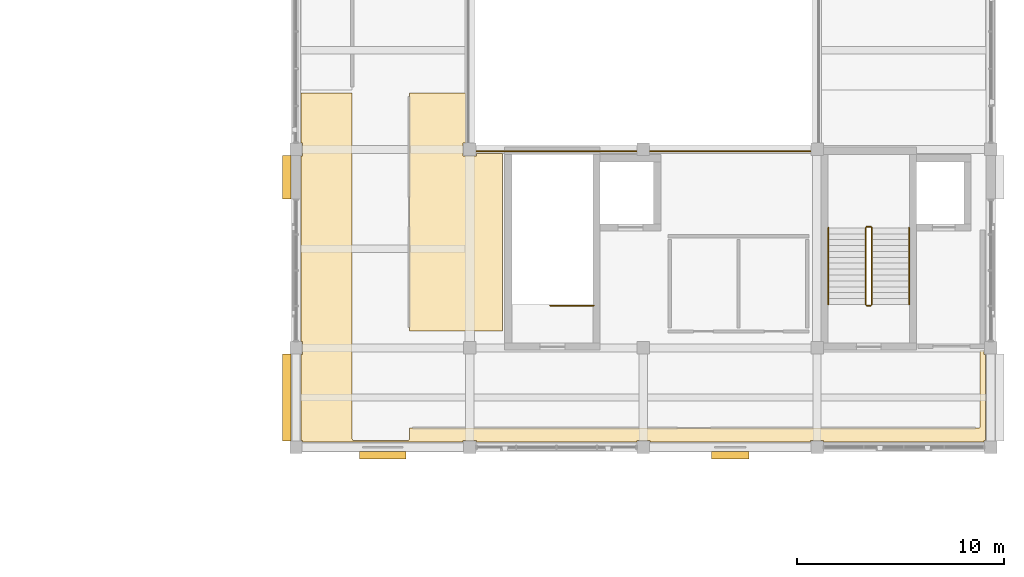
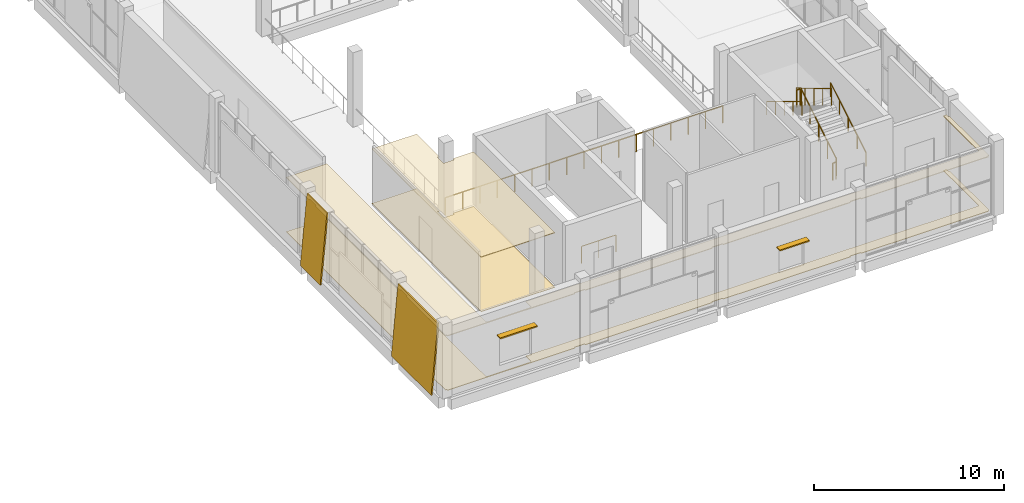
# One storey, part 35 of 37: 8 railings, 6 coverings, 2 shading devices.
"""IFC4 building model written with IfcOpenShell, lengths in metres."""

from ifc_helpers import new_model, si_unit, direction, frame, origin, origin_2d, place, context, subcontext, project, spatial, polyline, rectangle, circle, outline, extrude, material, layer, layer_set, type_object, element, save


model = new_model("IFC4")

# Units and contexts
model_context = context("Model", 3, precision=1e-05, world=origin(), true_north=direction((0.0, 1.0)))
body_context = subcontext(model_context, "Body", "Model", "MODEL_VIEW")
ifc_project = project(units=[si_unit("LENGTHUNIT", "METRE"), si_unit("AREAUNIT", "SQUARE_METRE"), si_unit("VOLUMEUNIT", "CUBIC_METRE"), si_unit("PLANEANGLEUNIT", "RADIAN"), si_unit("MASSUNIT", "GRAM", prefix="KILO")], contexts=[model_context])

# Site, building, storey
site_placement = place(None, origin())
site = spatial("IfcSite", under=ifc_project, at=site_placement, CompositionType="ELEMENT")
building_placement = place(site_placement, origin())
building = spatial("IfcBuilding", under=site, at=building_placement, Name="Shalvenor Court Art Gallery", CompositionType="ELEMENT")
storey_placement = place(building_placement, frame((0.0, 0.0, 22.199951171875)))
storey = spatial("IfcBuildingStorey", under=building, at=storey_placement, Name="L04", CompositionType="ELEMENT", Elevation=22.199951171875)

# Coverings
ifc_material_1 = material(Name="Pale Mediterranean limestone cladding", Category="masonry")
ifc_layer_1 = layer(ifc_material_1, 0.080078125, Name="Pale Mediterranean limestone cladding")
ifc_layer_set_1 = layer_set([ifc_layer_1], Name="Pale Mediterranean limestone cladding")
covering_type_1 = type_object("IfcCoveringType", Name="CLD-01", PredefinedType="CLADDING", material=ifc_layer_set_1)
covering_1_placement = place(storey_placement, frame((142.160400390625, 50.10009765625, 0.0), z_axis=(0.0, 0.0, 1.0), x_axis=(0.0, -1.0, 0.0)))
element("IfcCovering", 1, at=covering_1_placement, inside=storey, type_object=covering_type_1, Name="L04 V1 Tapered Limestone Cladding 25", PredefinedType="CLADDING", context=body_context, shape_type="SweptSolid", body=[
    extrude(outline(polyline([(0.0, 0.0), (4.2001953125, 0.0), (4.2001953125, 4.5185546875), (0.0, 4.5185546875), (0.0, 0.0)])), frame((0.0, 0.0, 0.0), z_axis=(0.0, -0.995884398616, 0.090632580198), x_axis=(1.0, 0.0, 0.0)), (0.0, 0.090632580198, -0.995884398616), 0.080322265625),
])
covering_2_placement = place(storey_placement, frame((142.160400390625, 59.699951171875, 0.0), z_axis=(0.0, 0.0, 1.0), x_axis=(0.0, -1.0, 0.0)))
element("IfcCovering", 2, at=covering_2_placement, inside=storey, type_object=covering_type_1, Name="L04 V1 Tapered Limestone Cladding 26", PredefinedType="CLADDING", context=body_context, shape_type="SweptSolid", body=[
    extrude(outline(polyline([(0.0, 0.0), (2.099853515625, 0.0), (2.099853515625, 4.5185546875), (0.0, 4.5185546875), (0.0, 0.0)])), frame((0.0, 0.0, 0.0), z_axis=(0.0, -0.995884398616, 0.090632580198), x_axis=(1.0, 0.0, 0.0)), (0.0, 0.090632580198, -0.995884398616), 0.080322265625),
])
ifc_material_2 = material(Name="Perforated acoustic gypsum gallery ceiling", Category="other")
ifc_layer_2 = layer(ifc_material_2, 0.044921875, Name="Perforated acoustic gypsum gallery ceiling")
ifc_layer_set_2 = layer_set([ifc_layer_2], Name="Perforated acoustic gypsum gallery ceiling")
covering_type_2 = type_object("IfcCoveringType", Name="CLG-01", PredefinedType="CEILING", material=ifc_layer_set_2)
covering_3_placement = place(storey_placement, frame((0.0, 0.0, 3.5)))
element("IfcCovering", 3, at=covering_3_placement, inside=storey, type_object=covering_type_2, Name="L04 Permanent Painting Gallery Acoustic Ceiling", PredefinedType="CEILING", context=body_context, shape_type="SweptSolid", body=[
    extrude(outline(polyline([(145.5205078125, 45.9921875), (145.521484375, 45.984375), (145.5234375, 45.976806640625), (145.526123046875, 45.969482421875), (145.529296875, 45.96240234375), (145.533447265625, 45.95556640625), (145.5380859375, 45.94921875), (145.54345703125, 45.943359375), (145.54931640625, 45.938232421875), (145.5556640625, 45.93359375), (145.562255859375, 45.929443359375), (145.5693359375, 45.926025390625), (145.576904296875, 45.92333984375), (145.58447265625, 45.92138671875), (145.59228515625, 45.92041015625), (145.60009765625, 45.919921875), (148.199951171875, 45.919921875), (148.207763671875, 45.92041015625), (148.215576171875, 45.92138671875), (148.22314453125, 45.92333984375), (148.230712890625, 45.926025390625), (148.23779296875, 45.929443359375), (148.244384765625, 45.93359375), (148.250732421875, 45.938232421875), (148.256591796875, 45.943359375), (148.26171875, 45.94921875), (148.2666015625, 45.95556640625), (148.2705078125, 45.96240234375), (148.27392578125, 45.969482421875), (148.276611328125, 45.976806640625), (148.278564453125, 45.984375), (148.279541015625, 45.9921875), (148.280029296875, 46.0), (148.280029296875, 46.52001953125), (175.800048828125, 46.52001953125), (175.807861328125, 46.5205078125), (175.815673828125, 46.521484375), (175.8232421875, 46.5234375), (175.83056640625, 46.526123046875), (175.837646484375, 46.529296875), (175.844482421875, 46.533447265625), (175.850830078125, 46.5380859375), (175.856689453125, 46.54345703125), (175.86181640625, 46.54931640625), (175.866455078125, 46.5556640625), (175.87060546875, 46.562255859375), (175.873779296875, 46.5693359375), (175.876708984375, 46.576904296875), (175.87841796875, 46.58447265625), (175.879638671875, 46.59228515625), (175.8798828125, 46.60009765625), (175.8798828125, 50.280029296875), (176.0, 50.280029296875), (176.021484375, 50.281005859375), (176.04296875, 50.2841796875), (176.06396484375, 50.28955078125), (176.080078125, 50.295166015625), (176.080078125, 50.080078125), (176.14990234375, 50.080078125), (176.14990234375, 45.919921875), (176.080078125, 45.919921875), (176.080078125, 45.85009765625), (168.320068359375, 45.85009765625), (168.320068359375, 45.919921875), (167.679931640625, 45.919921875), (167.679931640625, 45.85009765625), (159.919921875, 45.85009765625), (159.919921875, 45.919921875), (159.280029296875, 45.919921875), (159.280029296875, 45.85009765625), (151.52001953125, 45.85009765625), (151.52001953125, 45.919921875), (150.8798828125, 45.919921875), (150.8798828125, 45.85009765625), (143.1201171875, 45.85009765625), (143.1201171875, 45.919921875), (143.050048828125, 45.919921875), (143.050048828125, 50.080078125), (143.1201171875, 50.080078125), (143.1201171875, 50.719970703125), (143.050048828125, 50.719970703125), (143.050048828125, 59.679931640625), (143.1201171875, 59.679931640625), (143.1201171875, 60.320068359375), (143.050048828125, 60.320068359375), (143.050048828125, 62.719970703125), (145.52001953125, 62.719970703125), (145.52001953125, 46.0), (145.5205078125, 45.9921875)])), origin(), (0.0, 0.0, 1.0), 0.045166015625),
])
covering_4_placement = place(storey_placement, frame((0.0, 0.0, 3.5)))
element("IfcCovering", 4, at=covering_4_placement, inside=storey, type_object=covering_type_2, Name="L04 Permanent Painting Gallery Wing B Acoustic Ceiling", PredefinedType="CEILING", context=body_context, shape_type="SweptSolid", body=[
    extrude(outline(polyline([(152.780029296875, 51.22998046875), (148.280029296875, 51.22998046875), (148.280029296875, 62.719970703125), (151.0, 62.719970703125), (151.0, 60.320068359375), (150.8798828125, 60.320068359375), (150.8798828125, 59.679931640625), (151.52001953125, 59.679931640625), (151.52001953125, 59.800048828125), (152.780029296875, 59.800048828125), (152.780029296875, 51.22998046875)])), origin(), (0.0, 0.0, 1.0), 0.045166015625),
])
ifc_material_3 = material(Name="Quarter-sawn white oak gallery flooring", Category="wood")
ifc_layer_3 = layer(ifc_material_3, 0.031982421875, Name="Quarter-sawn white oak gallery flooring")
ifc_layer_set_3 = layer_set([ifc_layer_3], Name="Quarter-sawn white oak gallery flooring")
covering_type_3 = type_object("IfcCoveringType", Name="FLR-02", PredefinedType="FLOORING", material=ifc_layer_set_3)
covering_5_placement = place(storey_placement, origin())
element("IfcCovering", 5, at=covering_5_placement, inside=storey, type_object=covering_type_3, Name="L04 Permanent Painting Gallery Flooring", PredefinedType="FLOORING", context=body_context, shape_type="SweptSolid", body=[
    extrude(outline(polyline([(145.5205078125, 45.9921875), (145.521484375, 45.984375), (145.5234375, 45.976806640625), (145.526123046875, 45.969482421875), (145.529296875, 45.96240234375), (145.533447265625, 45.95556640625), (145.5380859375, 45.94921875), (145.54345703125, 45.943359375), (145.54931640625, 45.938232421875), (145.5556640625, 45.93359375), (145.562255859375, 45.929443359375), (145.5693359375, 45.926025390625), (145.576904296875, 45.92333984375), (145.58447265625, 45.92138671875), (145.59228515625, 45.92041015625), (145.60009765625, 45.919921875), (148.199951171875, 45.919921875), (148.207763671875, 45.92041015625), (148.215576171875, 45.92138671875), (148.22314453125, 45.92333984375), (148.230712890625, 45.926025390625), (148.23779296875, 45.929443359375), (148.244384765625, 45.93359375), (148.250732421875, 45.938232421875), (148.256591796875, 45.943359375), (148.26171875, 45.94921875), (148.2666015625, 45.95556640625), (148.2705078125, 45.96240234375), (148.27392578125, 45.969482421875), (148.276611328125, 45.976806640625), (148.278564453125, 45.984375), (148.279541015625, 45.9921875), (148.280029296875, 46.0), (148.280029296875, 46.52001953125), (175.800048828125, 46.52001953125), (175.807861328125, 46.5205078125), (175.815673828125, 46.521484375), (175.8232421875, 46.5234375), (175.83056640625, 46.526123046875), (175.837646484375, 46.529296875), (175.844482421875, 46.533447265625), (175.850830078125, 46.5380859375), (175.856689453125, 46.54345703125), (175.86181640625, 46.54931640625), (175.866455078125, 46.5556640625), (175.87060546875, 46.562255859375), (175.873779296875, 46.5693359375), (175.876708984375, 46.576904296875), (175.87841796875, 46.58447265625), (175.879638671875, 46.59228515625), (175.8798828125, 46.60009765625), (175.8798828125, 50.280029296875), (176.0, 50.280029296875), (176.021484375, 50.281005859375), (176.04296875, 50.2841796875), (176.06396484375, 50.28955078125), (176.080078125, 50.295166015625), (176.080078125, 50.080078125), (176.14990234375, 50.080078125), (176.14990234375, 45.919921875), (176.080078125, 45.919921875), (176.080078125, 45.85009765625), (168.320068359375, 45.85009765625), (168.320068359375, 45.919921875), (167.679931640625, 45.919921875), (167.679931640625, 45.85009765625), (159.919921875, 45.85009765625), (159.919921875, 45.919921875), (159.280029296875, 45.919921875), (159.280029296875, 45.85009765625), (151.52001953125, 45.85009765625), (151.52001953125, 45.919921875), (150.8798828125, 45.919921875), (150.8798828125, 45.85009765625), (143.1201171875, 45.85009765625), (143.1201171875, 45.919921875), (143.050048828125, 45.919921875), (143.050048828125, 50.080078125), (143.1201171875, 50.080078125), (143.1201171875, 50.719970703125), (143.050048828125, 50.719970703125), (143.050048828125, 59.679931640625), (143.1201171875, 59.679931640625), (143.1201171875, 60.320068359375), (143.050048828125, 60.320068359375), (143.050048828125, 62.719970703125), (145.52001953125, 62.719970703125), (145.52001953125, 46.0), (145.5205078125, 45.9921875)])), origin(), (0.0, 0.0, 1.0), 0.031982421875),
])
covering_6_placement = place(storey_placement, origin())
element("IfcCovering", 6, at=covering_6_placement, inside=storey, type_object=covering_type_3, Name="L04 Permanent Painting Gallery Wing B Flooring", PredefinedType="FLOORING", context=body_context, shape_type="SweptSolid", body=[
    extrude(outline(polyline([(152.780029296875, 51.22998046875), (148.280029296875, 51.22998046875), (148.280029296875, 62.719970703125), (151.0, 62.719970703125), (151.0, 60.320068359375), (150.8798828125, 60.320068359375), (150.8798828125, 59.679931640625), (151.52001953125, 59.679931640625), (151.52001953125, 59.800048828125), (152.780029296875, 59.800048828125), (152.780029296875, 51.22998046875)])), origin(), (0.0, 0.0, 1.0), 0.031982421875),
])

# Railings
ifc_material_4 = material(Name="Stainless steel and laminated glass balustrade", Category="steel")
railing_type_1 = type_object("IfcRailingType", Name="GR-01", PredefinedType="BALUSTRADE", material=ifc_material_4)
railing_1_placement = place(storey_placement, frame((151.1201171875, 59.919921875, 0.0)))
element("IfcRailing", 7, at=railing_1_placement, inside=storey, type_object=railing_type_1, Name="L04 Atrium Gallery Balustrade 1", PredefinedType="BALUSTRADE", context=body_context, shape_type="SweptSolid", body=[
    extrude(circle(Radius=0.02392578125, at=origin_2d()), frame((0.0, 0.0, 1.09619140625), z_axis=(1.0, 0.0, 0.0), x_axis=(0.0, 1.0, 0.0)), (0.0, 0.0, 1.0), 16.89990234375),
    extrude(circle(Radius=0.02099609375, at=origin_2d()), origin(), (0.0, 0.0, 1.0), 1.072021484375),
    extrude(circle(Radius=0.02099609375, at=origin_2d()), frame((1.05615234375, 0.0, 0.0)), (0.0, 0.0, 1.0), 1.072021484375),
    extrude(circle(Radius=0.02099609375, at=origin_2d()), frame((2.112548828125, 0.0, 0.0)), (0.0, 0.0, 1.0), 1.072021484375),
    extrude(circle(Radius=0.02099609375, at=origin_2d()), frame((3.168701171875, 0.0, 0.0)), (0.0, 0.0, 1.0), 1.072021484375),
    extrude(circle(Radius=0.02099609375, at=origin_2d()), frame((4.22509765625, 0.0, 0.0)), (0.0, 0.0, 1.0), 1.072021484375),
    extrude(circle(Radius=0.02099609375, at=origin_2d()), frame((5.28125, 0.0, 0.0)), (0.0, 0.0, 1.0), 1.072021484375),
    extrude(circle(Radius=0.02099609375, at=origin_2d()), frame((6.33740234375, 0.0, 0.0)), (0.0, 0.0, 1.0), 1.072021484375),
    extrude(circle(Radius=0.02099609375, at=origin_2d()), frame((7.393798828125, 0.0, 0.0)), (0.0, 0.0, 1.0), 1.072021484375),
    extrude(circle(Radius=0.02099609375, at=origin_2d()), frame((8.449951171875, 0.0, 0.0)), (0.0, 0.0, 1.0), 1.072021484375),
    extrude(circle(Radius=0.02099609375, at=origin_2d()), frame((9.506103515625, 0.0, 0.0)), (0.0, 0.0, 1.0), 1.072021484375),
    extrude(circle(Radius=0.02099609375, at=origin_2d()), frame((10.5625, 0.0, 0.0)), (0.0, 0.0, 1.0), 1.072021484375),
    extrude(circle(Radius=0.02099609375, at=origin_2d()), frame((11.61865234375, 0.0, 0.0)), (0.0, 0.0, 1.0), 1.072021484375),
    extrude(circle(Radius=0.02099609375, at=origin_2d()), frame((12.6748046875, 0.0, 0.0)), (0.0, 0.0, 1.0), 1.072021484375),
    extrude(circle(Radius=0.02099609375, at=origin_2d()), frame((13.731201171875, 0.0, 0.0)), (0.0, 0.0, 1.0), 1.072021484375),
    extrude(circle(Radius=0.02099609375, at=origin_2d()), frame((14.787353515625, 0.0, 0.0)), (0.0, 0.0, 1.0), 1.072021484375),
    extrude(circle(Radius=0.02099609375, at=origin_2d()), frame((15.84375, 0.0, 0.0)), (0.0, 0.0, 1.0), 1.072021484375),
    extrude(circle(Radius=0.02099609375, at=origin_2d()), frame((16.89990234375, 0.0, 0.0)), (0.0, 0.0, 1.0), 1.072021484375),
])
ifc_material_5 = material(Name="Painted steel post-and-rail guard", Category="steel")
railing_type_2 = type_object("IfcRailingType", Name="GR-02", PredefinedType="GUARDRAIL", material=ifc_material_5)
railing_2_placement = place(storey_placement, frame((170.64990234375, 52.5, 0.17138671875)))
element("IfcRailing", 8, at=railing_2_placement, inside=storey, type_object=railing_type_2, Name="L04 ST-02 Stair Guard 1", PredefinedType="GUARDRAIL", context=body_context, shape_type="SweptSolid", body=[
    extrude(circle(Radius=0.02392578125, at=origin_2d()), frame((0.0, 0.0, 1.09619140625), z_axis=(0.0, 0.856909459561, 0.515466951525), x_axis=(-1.0, 0.0, 0.0)), (0.0, 0.0, 1.0), 4.32373046875),
    extrude(circle(Radius=0.02099609375, at=origin_2d()), origin(), (0.0, 0.0, 1.0), 1.072021484375),
    extrude(circle(Radius=0.02099609375, at=origin_2d()), frame((0.0, 0.92626953125, 0.55712890625)), (0.0, 0.0, 1.0), 1.072021484375),
    extrude(circle(Radius=0.02099609375, at=origin_2d()), frame((0.0, 1.8525390625, 1.1142578125)), (0.0, 0.0, 1.0), 1.072021484375),
    extrude(circle(Radius=0.02099609375, at=origin_2d()), frame((0.0, 2.77880859375, 1.671630859375)), (0.0, 0.0, 1.0), 1.072021484375),
    extrude(circle(Radius=0.02099609375, at=origin_2d()), frame((0.0, 3.705078125, 2.228759765625)), (0.0, 0.0, 1.0), 1.072021484375),
])
railing_3_placement = place(storey_placement, frame((170.60009765625, 56.2548828125, 2.400146484375)))
element("IfcRailing", 9, at=railing_3_placement, inside=storey, type_object=railing_type_2, Name="L04 ST-02 Stair Guard 2", PredefinedType="GUARDRAIL", context=body_context, shape_type="SweptSolid", body=[
    extrude(circle(Radius=0.02392578125, at=origin_2d()), frame((0.0, 0.0, 1.09619140625), z_axis=(-1.0, 0.0, 0.0), x_axis=(0.0, -1.0, 0.0)), (0.0, 0.0, 1.0), 0.2001953125),
    extrude(circle(Radius=0.02099609375, at=origin_2d()), origin(), (0.0, 0.0, 1.0), 1.072021484375),
    extrude(circle(Radius=0.02099609375, at=origin_2d()), frame((-0.2001953125, 0.0, 0.0)), (0.0, 0.0, 1.0), 1.072021484375),
])
railing_4_placement = place(storey_placement, frame((170.35009765625, 56.205078125, 2.571533203125)))
element("IfcRailing", 10, at=railing_4_placement, inside=storey, type_object=railing_type_2, Name="L04 ST-02 Stair Guard 3", PredefinedType="GUARDRAIL", context=body_context, shape_type="SweptSolid", body=[
    extrude(circle(Radius=0.02392578125, at=origin_2d()), frame((0.0, 0.0, 1.09619140625), z_axis=(0.0, -0.856934400257, 0.515425487977), x_axis=(1.0, 0.0, 0.0)), (0.0, 0.0, 1.0), 4.32373046875),
    extrude(circle(Radius=0.02099609375, at=origin_2d()), origin(), (0.0, 0.0, 1.0), 1.072021484375),
    extrude(circle(Radius=0.02099609375, at=origin_2d()), frame((0.0, -0.92626953125, 0.55712890625)), (0.0, 0.0, 1.0), 1.072021484375),
    extrude(circle(Radius=0.02099609375, at=origin_2d()), frame((0.0, -1.8525390625, 1.1142578125)), (0.0, 0.0, 1.0), 1.072021484375),
    extrude(circle(Radius=0.02099609375, at=origin_2d()), frame((0.0, -2.77880859375, 1.67138671875)), (0.0, 0.0, 1.0), 1.072021484375),
    extrude(circle(Radius=0.02099609375, at=origin_2d()), frame((0.0, -3.705078125, 2.228515625)), (0.0, 0.0, 1.0), 1.072021484375),
])
railing_5_placement = place(storey_placement, frame((170.60009765625, 52.449951171875, 0.0)))
element("IfcRailing", 11, at=railing_5_placement, inside=storey, type_object=railing_type_2, Name="L04 ST-02 Stair Guard 4", PredefinedType="GUARDRAIL", context=body_context, shape_type="SweptSolid", body=[
    extrude(circle(Radius=0.02392578125, at=origin_2d()), frame((0.0, 0.0, 1.09619140625), z_axis=(-1.0, 0.0, 0.0), x_axis=(0.0, -1.0, 0.0)), (0.0, 0.0, 1.0), 0.2001953125),
    extrude(circle(Radius=0.02099609375, at=origin_2d()), origin(), (0.0, 0.0, 1.0), 1.072021484375),
    extrude(circle(Radius=0.02099609375, at=origin_2d()), frame((-0.2001953125, 0.0, 0.0)), (0.0, 0.0, 1.0), 1.072021484375),
])
railing_6_placement = place(storey_placement, frame((157.199951171875, 52.449951171875, 0.0)))
element("IfcRailing", 12, at=railing_6_placement, inside=storey, type_object=railing_type_2, Name="L04 ST-03 Top Well Guard 1", PredefinedType="GUARDRAIL", context=body_context, shape_type="SweptSolid", body=[
    extrude(circle(Radius=0.02392578125, at=origin_2d()), frame((0.0, 0.0, 1.09619140625), z_axis=(-1.0, 0.0, 0.0), x_axis=(0.0, -1.0, 0.0)), (0.0, 0.0, 1.0), 2.099853515625),
    extrude(circle(Radius=0.02099609375, at=origin_2d()), origin(), (0.0, 0.0, 1.0), 1.072021484375),
    extrude(circle(Radius=0.02099609375, at=origin_2d()), frame((-1.0498046875, 0.0, 0.0)), (0.0, 0.0, 1.0), 1.072021484375),
    extrude(circle(Radius=0.02099609375, at=origin_2d()), frame((-2.099853515625, 0.0, 0.0)), (0.0, 0.0, 1.0), 1.072021484375),
])
ifc_material_6 = material(Name="Brushed stainless steel handrail", Category="steel")
railing_type_3 = type_object("IfcRailingType", Name="HR-01", PredefinedType="HANDRAIL", material=ifc_material_6)
railing_7_placement = place(storey_placement, frame((172.449951171875, 52.5, 0.17138671875)))
element("IfcRailing", 13, at=railing_7_placement, inside=storey, type_object=railing_type_3, Name="L04 ST-02 Stair Handrail 1", PredefinedType="HANDRAIL", context=body_context, shape_type="SweptSolid", body=[
    extrude(circle(Radius=0.02392578125, at=origin_2d()), frame((0.0, 0.0, 0.8759765625), z_axis=(0.0, 0.856909459561, 0.515466951525), x_axis=(-1.0, 0.0, 0.0)), (0.0, 0.0, 1.0), 4.32373046875),
    extrude(circle(Radius=0.02099609375, at=origin_2d()), origin(), (0.0, 0.0, 1.0), 0.851806640625),
    extrude(circle(Radius=0.02099609375, at=origin_2d()), frame((0.0, 0.92626953125, 0.55712890625)), (0.0, 0.0, 1.0), 0.851806640625),
    extrude(circle(Radius=0.02099609375, at=origin_2d()), frame((0.0, 1.8525390625, 1.1142578125)), (0.0, 0.0, 1.0), 0.851806640625),
    extrude(circle(Radius=0.02099609375, at=origin_2d()), frame((0.0, 2.77880859375, 1.671630859375)), (0.0, 0.0, 1.0), 0.851806640625),
    extrude(circle(Radius=0.02099609375, at=origin_2d()), frame((0.0, 3.705078125, 2.228759765625)), (0.0, 0.0, 1.0), 0.851806640625),
])
railing_8_placement = place(storey_placement, frame((168.550048828125, 56.205078125, 2.571533203125)))
element("IfcRailing", 14, at=railing_8_placement, inside=storey, type_object=railing_type_3, Name="L04 ST-02 Stair Handrail 2", PredefinedType="HANDRAIL", context=body_context, shape_type="SweptSolid", body=[
    extrude(circle(Radius=0.02392578125, at=origin_2d()), frame((0.0, 0.0, 0.8759765625), z_axis=(0.0, -0.856934400257, 0.515425487977), x_axis=(1.0, 0.0, 0.0)), (0.0, 0.0, 1.0), 4.32373046875),
    extrude(circle(Radius=0.02099609375, at=origin_2d()), origin(), (0.0, 0.0, 1.0), 0.851806640625),
    extrude(circle(Radius=0.02099609375, at=origin_2d()), frame((0.0, -0.92626953125, 0.55712890625)), (0.0, 0.0, 1.0), 0.851806640625),
    extrude(circle(Radius=0.02099609375, at=origin_2d()), frame((0.0, -1.8525390625, 1.1142578125)), (0.0, 0.0, 1.0), 0.851806640625),
    extrude(circle(Radius=0.02099609375, at=origin_2d()), frame((0.0, -2.77880859375, 1.67138671875)), (0.0, 0.0, 1.0), 0.851806640625),
    extrude(circle(Radius=0.02099609375, at=origin_2d()), frame((0.0, -3.705078125, 2.228515625)), (0.0, 0.0, 1.0), 0.851806640625),
])

# Shading devices
ifc_material_7 = material(Name="Dark anodised bronze aluminium louvre", Category="aluminium")
shading_device_type = type_object("IfcShadingDeviceType", Name="SHD-01", PredefinedType="JALOUSIE", material=ifc_material_7)
shading_device_1_placement = place(storey_placement, frame((163.800048828125, 45.2099609375, 2.550048828125), z_axis=(0.0, 0.0, 1.0), x_axis=(-1.0, 0.0, 0.0)))
element("IfcShadingDevice", 15, at=shading_device_1_placement, inside=storey, type_object=shading_device_type, Name="L04 Koushi Window Sunshade 19", PredefinedType="JALOUSIE", context=body_context, shape_type="SweptSolid", body=[
    extrude(rectangle(XDim=1.800048828125, YDim=0.360107421875, at=origin_2d()), origin(), (0.0, 0.0, 1.0), 0.080078125),
])
shading_device_2_placement = place(storey_placement, frame((147.0, 45.2099609375, 2.85009765625), z_axis=(0.0, 0.0, 1.0), x_axis=(-1.0, 0.0, 0.0)))
element("IfcShadingDevice", 16, at=shading_device_2_placement, inside=storey, type_object=shading_device_type, Name="L04 Koushi Window Sunshade 20", PredefinedType="JALOUSIE", context=body_context, shape_type="SweptSolid", body=[
    extrude(rectangle(XDim=2.25, YDim=0.360107421875, at=origin_2d()), origin(), (0.0, 0.0, 1.0), 0.080078125),
])

save(model, "model.ifc")
